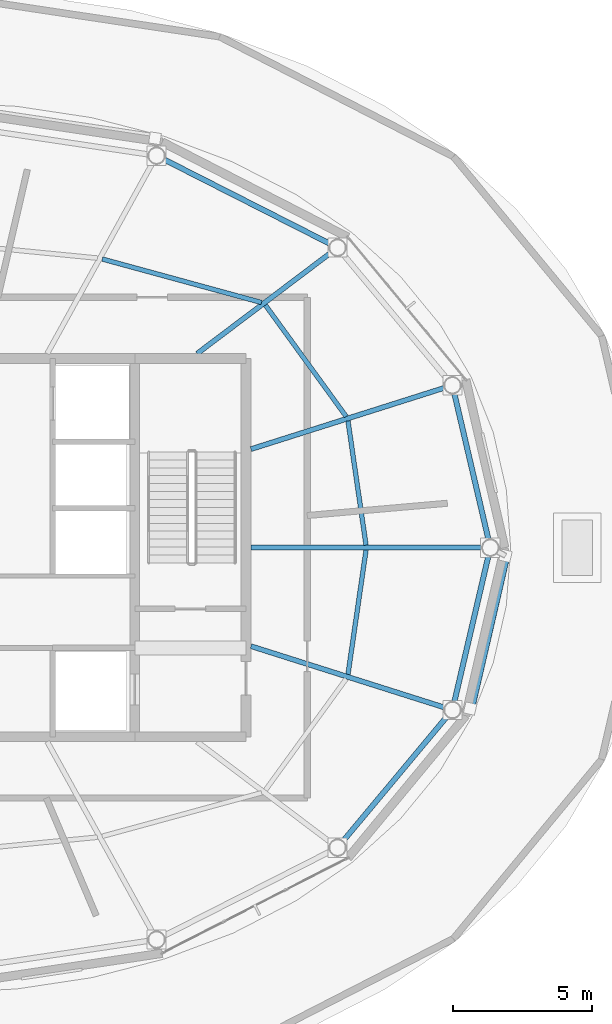
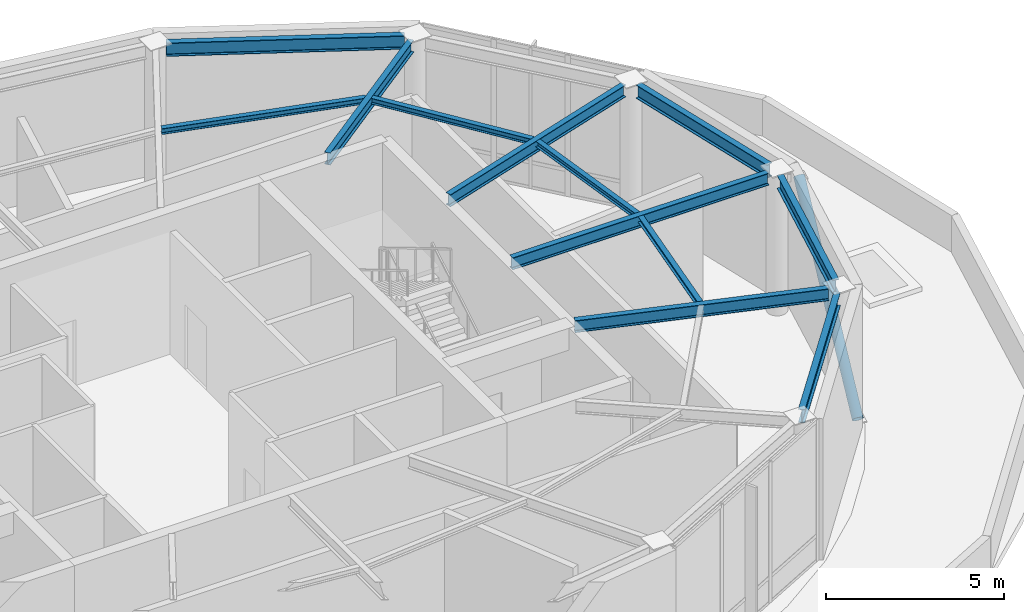
# One storey, part 7 of 15: 12 beams, 1 member.
"""IFC4 building model written with IfcOpenShell, lengths in metres."""

from ifc_helpers import new_model, si_unit, direction, frame, origin, origin_2d, place, context, subcontext, project, spatial, hollow_circle, i_section, extrude, material, material_profile, profile_set, type_object, element, save


model = new_model("IFC4")

# Units and contexts
model_context = context("Model", 3, precision=1e-05, world=origin(), true_north=direction((0.0, 1.0)))
body_context = subcontext(model_context, "Body", "Model", "MODEL_VIEW")
ifc_project = project(units=[si_unit("LENGTHUNIT", "METRE"), si_unit("AREAUNIT", "SQUARE_METRE"), si_unit("VOLUMEUNIT", "CUBIC_METRE"), si_unit("PLANEANGLEUNIT", "RADIAN"), si_unit("MASSUNIT", "GRAM", prefix="KILO")], contexts=[model_context])

# Site, building, storey
site_placement = place(None, origin())
site = spatial("IfcSite", under=ifc_project, at=site_placement, CompositionType="ELEMENT")
building_placement = place(site_placement, origin())
building = spatial("IfcBuilding", under=site, at=building_placement, Name="Sarneth Arch Tower", CompositionType="ELEMENT")
storey_placement = place(building_placement, frame((0.0, 0.0, 316.5)))
storey = spatial("IfcBuildingStorey", under=building, at=storey_placement, Name="L82", CompositionType="ELEMENT", Elevation=316.5)

# Beams
ifc_material_1 = material(Name="Steel S355", Category="steel")
ifc_material_profile_1 = material_profile(ifc_material_1, i_section(OverallWidth=0.1650390625, OverallDepth=0.200927734375, WebThickness=0.006103515625, FlangeThickness=0.01025390625, FilletRadius=0.010009765625, at=origin_2d()), Name="W200x35.9")
ifc_profile_set_1 = profile_set([ifc_material_profile_1], Name="Steel S355")
beam_type_1 = type_object("IfcBeamType", Name="BM-JOIST-200", PredefinedType="JOIST", material=ifc_profile_set_1)
beam_1_placement = place(storey_placement, frame((63.312255859375, 42.089111328125, 4.739501953125), z_axis=(-0.143747114528, 0.989614453747, 0.0), x_axis=(-0.989614453747, -0.143747114528, 0.0)))
element("IfcBeam", 1, at=beam_1_placement, inside=storey, type_object=beam_type_1, Name="L82 Secondary floor joist 01", PredefinedType="JOIST", context=body_context, shape_type="SweptSolid", body=[
    extrude(i_section(OverallWidth=0.1650390625, OverallDepth=0.200927734375, WebThickness=0.006103515625, FlangeThickness=0.01025390625, FilletRadius=0.010009765625, at=origin_2d()), origin(), (0.0, 0.0, 1.0), 4.510986328125),
])
beam_2_placement = place(storey_placement, frame((62.597900390625, 46.71533203125, 4.739501953125), z_axis=(-0.587186987897, 0.809451321109, 0.0), x_axis=(-0.809451321109, -0.587186987897, 0.0)))
element("IfcBeam", 2, at=beam_2_placement, inside=storey, type_object=beam_type_1, Name="L82 Secondary floor joist 02", PredefinedType="JOIST", context=body_context, shape_type="SweptSolid", body=[
    extrude(i_section(OverallWidth=0.1650390625, OverallDepth=0.200927734375, WebThickness=0.006103515625, FlangeThickness=0.01025390625, FilletRadius=0.010009765625, at=origin_2d()), origin(), (0.0, 0.0, 1.0), 4.940673828125),
])
beam_3_placement = place(storey_placement, frame((59.55712890625, 50.81103515625, 4.739501953125), z_axis=(-0.964665041137, 0.263479332034, 0.0), x_axis=(-0.263479332034, -0.964665041137, 0.0)))
element("IfcBeam", 3, at=beam_3_placement, inside=storey, type_object=beam_type_1, Name="L82 Secondary floor joist 03", PredefinedType="JOIST", context=body_context, shape_type="SweptSolid", body=[
    extrude(i_section(OverallWidth=0.1650390625, OverallDepth=0.200927734375, WebThickness=0.006103515625, FlangeThickness=0.01025390625, FilletRadius=0.010009765625, at=origin_2d()), origin(), (0.0, 0.0, 1.0), 5.935791015625),
])
beam_4_placement = place(storey_placement, frame((62.663818359375, 37.44677734375, 4.739501953125), z_axis=(0.143747114528, 0.989614453747, 0.0), x_axis=(-0.989614453747, 0.143747114528, 0.0)))
element("IfcBeam", 4, at=beam_4_placement, inside=storey, type_object=beam_type_1, Name="L82 Secondary floor joist 16", PredefinedType="JOIST", context=body_context, shape_type="SweptSolid", body=[
    extrude(i_section(OverallWidth=0.1650390625, OverallDepth=0.200927734375, WebThickness=0.006103515625, FlangeThickness=0.01025390625, FilletRadius=0.010009765625, at=origin_2d()), origin(), (0.0, 0.0, 1.0), 4.510986328125),
])
ifc_material_2 = material(Name="Steel S355", Category="steel")
ifc_material_profile_2 = material_profile(ifc_material_2, i_section(OverallWidth=0.179931640625, OverallDepth=0.4130859375, WebThickness=0.009765625, FlangeThickness=0.01611328125, FilletRadius=0.01611328125, at=origin_2d()), Name="W410x75")
ifc_profile_set_2 = profile_set([ifc_material_profile_2], Name="Steel S355")
beam_type_2 = type_object("IfcBeamType", Name="BM-RAD-410B", PredefinedType="BEAM", material=ifc_profile_set_2)
beam_5_placement = place(storey_placement, frame((59.175048828125, 42.0, 4.633544921875), z_axis=(1.0, 0.0, 0.0), x_axis=(0.0, 1.0, 0.0)))
element("IfcBeam", 5, at=beam_5_placement, inside=storey, type_object=beam_type_2, Name="L82 Radial floor girder 01", PredefinedType="BEAM", context=body_context, shape_type="SweptSolid", body=[
    extrude(i_section(OverallWidth=0.179931640625, OverallDepth=0.4130859375, WebThickness=0.009765625, FlangeThickness=0.01611328125, FilletRadius=0.01611328125, at=origin_2d()), origin(), (0.0, 0.0, 1.0), 8.300048828125),
])
beam_6_placement = place(storey_placement, frame((59.175048828125, 45.541015625, 4.633544921875), z_axis=(0.953282145376, 0.302081365376, 0.0), x_axis=(-0.302081365376, 0.953282145376, 0.0)))
element("IfcBeam", 6, at=beam_6_placement, inside=storey, type_object=beam_type_2, Name="L82 Radial floor girder 02", PredefinedType="BEAM", context=body_context, shape_type="SweptSolid", body=[
    extrude(i_section(OverallWidth=0.179931640625, OverallDepth=0.4130859375, WebThickness=0.009765625, FlangeThickness=0.01611328125, FilletRadius=0.01611328125, at=origin_2d()), origin(), (0.0, 0.0, 1.0), 7.292236328125),
])
beam_7_placement = place(storey_placement, frame((57.242431640625, 48.97509765625, 4.633544921875), z_axis=(0.798219333929, 0.602366910563, 0.0), x_axis=(-0.602366910563, 0.798219333929, 0.0)))
element("IfcBeam", 7, at=beam_7_placement, inside=storey, type_object=beam_type_2, Name="L82 Radial floor girder 03", PredefinedType="BEAM", context=body_context, shape_type="SweptSolid", body=[
    extrude(i_section(OverallWidth=0.179931640625, OverallDepth=0.4130859375, WebThickness=0.009765625, FlangeThickness=0.01611328125, FilletRadius=0.01611328125, at=origin_2d()), origin(), (0.0, 0.0, 1.0), 6.01708984375),
])
beam_8_placement = place(storey_placement, frame((59.175048828125, 38.458984375, 4.633544921875), z_axis=(0.953282145376, -0.302081365376, 0.0), x_axis=(0.302081365376, 0.953282145376, 0.0)))
element("IfcBeam", 8, at=beam_8_placement, inside=storey, type_object=beam_type_2, Name="L82 Radial floor girder 16", PredefinedType="BEAM", context=body_context, shape_type="SweptSolid", body=[
    extrude(i_section(OverallWidth=0.179931640625, OverallDepth=0.4130859375, WebThickness=0.009765625, FlangeThickness=0.01611328125, FilletRadius=0.01611328125, at=origin_2d()), origin(), (0.0, 0.0, 1.0), 7.292236328125),
])
ifc_material_3 = material(Name="Steel S355", Category="steel")
ifc_material_profile_3 = material_profile(ifc_material_3, i_section(OverallWidth=0.19189453125, OverallDepth=0.462890625, WebThickness=0.010498046875, FlangeThickness=0.017578125, FilletRadius=0.01806640625, at=origin_2d()), Name="W460x89")
ifc_profile_set_3 = profile_set([ifc_material_profile_3], Name="Steel S355")
beam_type_3 = type_object("IfcBeamType", Name="BM-RAD-460B", PredefinedType="BEAM", material=ifc_profile_set_3)
beam_9_placement = place(storey_placement, frame((67.7109375, 42.297119140625, 4.6083984375), z_axis=(-0.227416006803, 0.973797699653, 0.0), x_axis=(-0.973797699653, -0.227416006803, 0.0)))
element("IfcBeam", 9, at=beam_9_placement, inside=storey, type_object=beam_type_3, Name="L82 Perimeter spandrel beam 01", PredefinedType="BEAM", context=body_context, shape_type="SweptSolid", body=[
    extrude(i_section(OverallWidth=0.19189453125, OverallDepth=0.462890625, WebThickness=0.010498046875, FlangeThickness=0.017578125, FilletRadius=0.01806640625, at=origin_2d()), origin(), (0.0, 0.0, 1.0), 5.3828125),
])
beam_10_placement = place(storey_placement, frame((62.01708984375, 52.921630859375, 4.6083984375), z_axis=(-0.891524580884, 0.45297231889, 0.0), x_axis=(-0.45297231889, -0.891524580884, 0.0)))
element("IfcBeam", 10, at=beam_10_placement, inside=storey, type_object=beam_type_3, Name="L82 Perimeter spandrel beam 03", PredefinedType="BEAM", context=body_context, shape_type="SweptSolid", body=[
    extrude(i_section(OverallWidth=0.19189453125, OverallDepth=0.462890625, WebThickness=0.010498046875, FlangeThickness=0.017578125, FilletRadius=0.01806640625, at=origin_2d()), origin(), (0.0, 0.0, 1.0), 6.6875),
])
beam_11_placement = place(storey_placement, frame((62.484375, 31.45068359375, 4.6083984375), z_axis=(0.64067411458, 0.767812919211, 0.0), x_axis=(-0.767812919211, 0.64067411458, 0.0)))
element("IfcBeam", 11, at=beam_11_placement, inside=storey, type_object=beam_type_3, Name="L82 Perimeter spandrel beam 15", PredefinedType="BEAM", context=body_context, shape_type="SweptSolid", body=[
    extrude(i_section(OverallWidth=0.19189453125, OverallDepth=0.462890625, WebThickness=0.010498046875, FlangeThickness=0.017578125, FilletRadius=0.01806640625, at=origin_2d()), origin(), (0.0, 0.0, 1.0), 5.833740234375),
])
beam_12_placement = place(storey_placement, frame((66.48681640625, 36.461181640625, 4.6083984375), z_axis=(0.227416006803, 0.973797699653, 0.0), x_axis=(-0.973797699653, 0.227416006803, 0.0)))
element("IfcBeam", 12, at=beam_12_placement, inside=storey, type_object=beam_type_3, Name="L82 Perimeter spandrel beam 16", PredefinedType="BEAM", context=body_context, shape_type="SweptSolid", body=[
    extrude(i_section(OverallWidth=0.19189453125, OverallDepth=0.462890625, WebThickness=0.010498046875, FlangeThickness=0.017578125, FilletRadius=0.01806640625, at=origin_2d()), origin(), (0.0, 0.0, 1.0), 5.3828125),
])

# Member
ifc_material_4 = material(Name="Steel S355", Category="steel")
ifc_material_profile_4 = material_profile(ifc_material_4, hollow_circle(Radius=0.162109375, WallThickness=0.012451171875, at=origin_2d()), Name="CHS324x12.5")
ifc_profile_set_4 = profile_set([ifc_material_profile_4], Name="Steel S355")
member_type = type_object("IfcMemberType", Name="MEM-DIAG-BR3", PredefinedType="BRACE", material=ifc_profile_set_4)
member_placement = place(storey_placement, frame((67.05517578125, 36.21533203125, 0.02001953125), z_axis=(0.175394307197, 0.758670588156, 0.627419935665), x_axis=(-0.97430207007, 0.225245369002, 0.0)))
element("IfcMember", 13, at=member_placement, inside=storey, type_object=member_type, Name="L82 Perimeter frame diagonal 16", PredefinedType="BRACE", context=body_context, shape_type="SweptSolid", body=[
    extrude(hollow_circle(Radius=0.162109375, WallThickness=0.012451171875, at=origin_2d()), origin(), (0.0, 0.0, 1.0), 7.239501953125),
])

save(model, "model.ifc")
